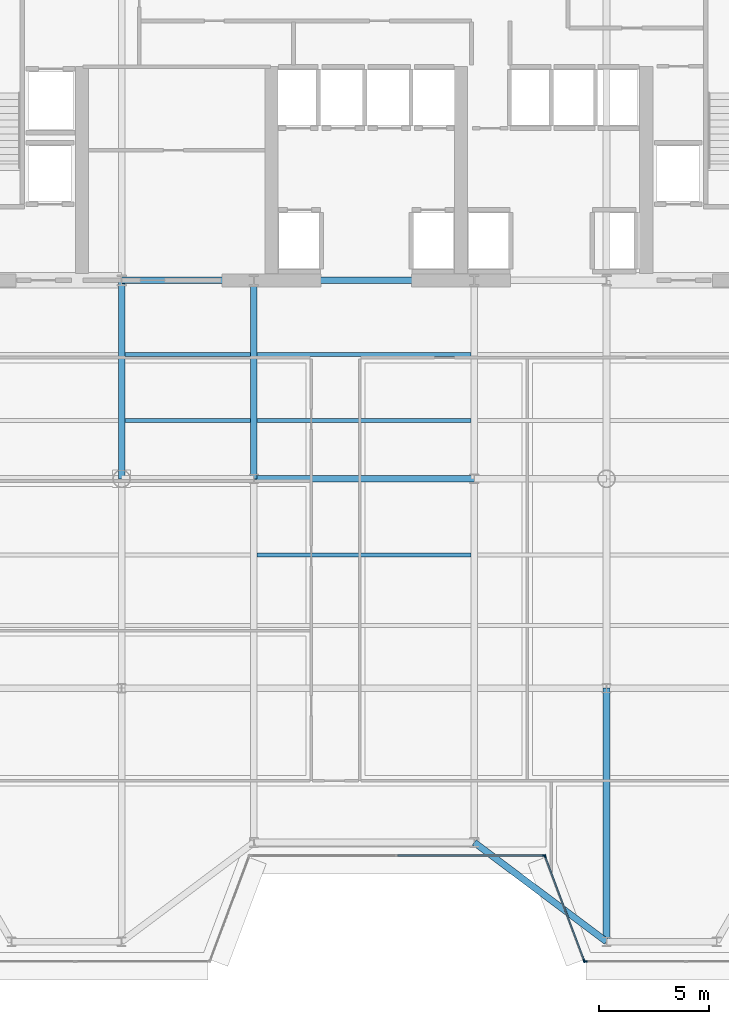
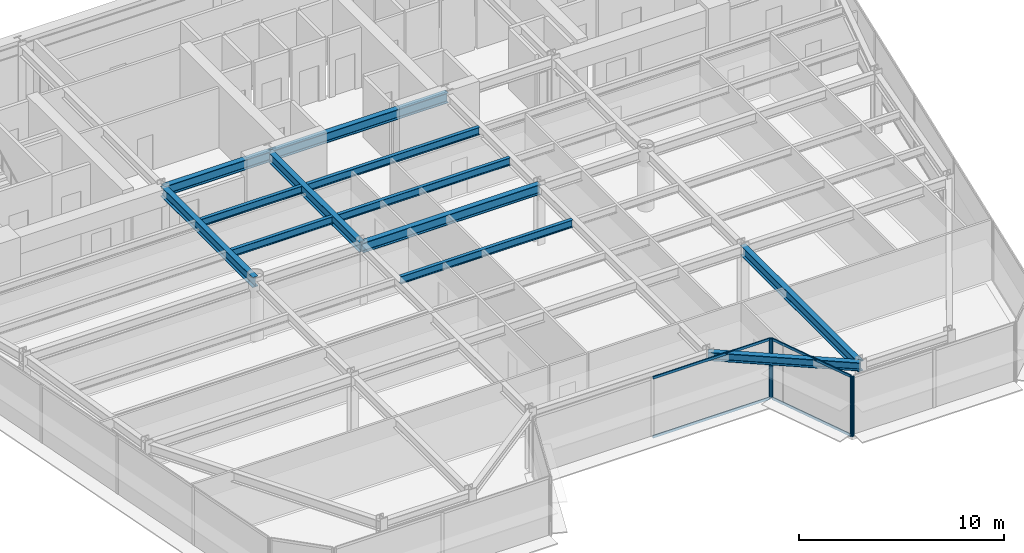
# One storey, part 5 of 16: 12 beams, 8 members, 3 elements without a shape of their own.
"""IFC4 building model written with IfcOpenShell, lengths in metres."""

from ifc_helpers import new_model, si_unit, direction, frame, origin, origin_2d, place, context, subcontext, project, spatial, rectangle, i_section, extrude, source, transform, mapped, material, layer, layer_set, material_profile, profile_set, type_object, element, aggregate, save


model = new_model("IFC4")

# Units and contexts
model_context = context("Model", 3, precision=1e-05, world=origin(), true_north=direction((0.0, 1.0)))
body_context = subcontext(model_context, "Body", "Model", "MODEL_VIEW")
ifc_project = project(units=[si_unit("LENGTHUNIT", "METRE"), si_unit("AREAUNIT", "SQUARE_METRE"), si_unit("VOLUMEUNIT", "CUBIC_METRE"), si_unit("PLANEANGLEUNIT", "RADIAN"), si_unit("MASSUNIT", "GRAM", prefix="KILO")], contexts=[model_context])

# Site, building, storey
site_placement = place(None, origin())
site = spatial("IfcSite", under=ifc_project, at=site_placement, CompositionType="ELEMENT")
building_placement = place(site_placement, origin())
building = spatial("IfcBuilding", under=site, at=building_placement, Name="Vaeldorn Concourse Tower", CompositionType="ELEMENT")
storey_placement = place(building_placement, frame((0.0, 0.0, 184.199951171875)))
storey = spatial("IfcBuildingStorey", under=building, at=storey_placement, Name="L47", CompositionType="ELEMENT", Elevation=184.199951171875)

# Beams
ifc_material_1 = material(Name="Steel S355", Category="steel")
ifc_material_profile_1 = material_profile(ifc_material_1, i_section(OverallWidth=0.300048828125, OverallDepth=0.5, WebThickness=0.014404296875, FlangeThickness=0.028076171875, FilletRadius=0.027099609375, at=origin_2d()), Name="HEB 500")
ifc_profile_set_1 = profile_set([ifc_material_profile_1], Name="Steel S355")
beam_type_1 = type_object("IfcBeamType", Name="BM-SP-HEB500", PredefinedType="SPANDREL", material=ifc_profile_set_1)
shared_shape_1 = source(origin(), body_context, "Body", "SweptSolid", [
    extrude(i_section(OverallWidth=0.300048828125, OverallDepth=0.5, WebThickness=0.014404296875, FlangeThickness=0.028076171875, FilletRadius=0.027099609375, at=origin_2d()), origin(), (0.0, 0.0, 1.0), 7.5),
])
beam_1_placement = place(storey_placement, frame((39.0, 11.0, 3.330078125), z_axis=(0.8, -0.6, 0.0), x_axis=(0.6, 0.8, 0.0)))
element("IfcBeam", 1, at=beam_1_placement, inside=storey, type_object=beam_type_1, Name="Beam BM-L47-C-SF4-C-SF5", PredefinedType="SPANDREL", context=body_context, shape_type="MappedRepresentation", body=[
    mapped(shared_shape_1, transform((0.0, 0.0, 0.0), scale=1.0)),
])
ifc_material_profile_2 = material_profile(ifc_material_1, i_section(OverallWidth=0.18994140625, OverallDepth=0.449951171875, WebThickness=0.009521484375, FlangeThickness=0.0146484375, FilletRadius=0.02099609375, at=origin_2d()), Name="IPE 450")
ifc_profile_set_2 = profile_set([ifc_material_profile_2], Name="Steel S355")
beam_type_2 = type_object("IfcBeamType", Name="BM-JS-IPE450", PredefinedType="JOIST", material=ifc_profile_set_2)
shared_shape_2 = source(origin(), body_context, "Body", "SweptSolid", [
    extrude(i_section(OverallWidth=0.18994140625, OverallDepth=0.449951171875, WebThickness=0.009521484375, FlangeThickness=0.0146484375, FilletRadius=0.02099609375, at=origin_2d()), origin(), (0.0, 0.0, 1.0), 5.7001953125),
])
for number, where, z_axis, x_axis, name in (
    (2, (23.14990234375, 30.139892578125, 3.35498046875), (1.0, 0.0, 0.0), (0.0, 1.0, 0.0), "Beam JS-L47-W2-301"),
    (3, (23.14990234375, 33.139892578125, 3.35498046875), (1.0, 0.0, 0.0), (0.0, 1.0, 0.0), "Beam JS-L47-W2-331"),
):
    element("IfcBeam", number, at=place(storey_placement, frame(where, z_axis=z_axis, x_axis=x_axis)), inside=storey, type_object=beam_type_2, Name=name, PredefinedType="JOIST", context=body_context, shape_type="MappedRepresentation", body=[
        mapped(shared_shape_2, transform((0.0, 0.0, 0.0), scale=1.0)),
    ])
shared_shape_3 = source(origin(), body_context, "Body", "SweptSolid", [
    extrude(i_section(OverallWidth=0.18994140625, OverallDepth=0.449951171875, WebThickness=0.009521484375, FlangeThickness=0.0146484375, FilletRadius=0.02099609375, at=origin_2d()), origin(), (0.0, 0.0, 1.0), 9.7001953125),
])
for number, where, z_axis, x_axis, name in (
    (4, (29.14990234375, 24.0400390625, 3.35498046875), (1.0, 0.0, 0.0), (0.0, 1.0, 0.0), "Beam JS-L47-C-240"),
    (5, (29.14990234375, 30.139892578125, 3.35498046875), (1.0, 0.0, 0.0), (0.0, 1.0, 0.0), "Beam JS-L47-C-301"),
    (6, (29.14990234375, 33.139892578125, 3.35498046875), (1.0, 0.0, 0.0), (0.0, 1.0, 0.0), "Beam JS-L47-C-331"),
):
    element("IfcBeam", number, at=place(storey_placement, frame(where, z_axis=z_axis, x_axis=x_axis)), inside=storey, type_object=beam_type_2, Name=name, PredefinedType="JOIST", context=body_context, shape_type="MappedRepresentation", body=[
        mapped(shared_shape_3, transform((0.0, 0.0, 0.0), scale=1.0)),
    ])
ifc_material_profile_3 = material_profile(ifc_material_1, i_section(OverallWidth=0.300048828125, OverallDepth=0.60009765625, WebThickness=0.015380859375, FlangeThickness=0.030029296875, FilletRadius=0.027099609375, at=origin_2d()), Name="HEB 600")
ifc_profile_set_3 = profile_set([ifc_material_profile_3], Name="Steel S355")
beam_type_3 = type_object("IfcBeamType", Name="BM-PG-HEB600", PredefinedType="BEAM", material=ifc_profile_set_3)
shared_shape_4 = source(origin(), body_context, "Body", "SweptSolid", [
    extrude(i_section(OverallWidth=0.300048828125, OverallDepth=0.60009765625, WebThickness=0.015380859375, FlangeThickness=0.030029296875, FilletRadius=0.027099609375, at=origin_2d()), origin(), (0.0, 0.0, 1.0), 6.0),
])
beam_2_placement = place(storey_placement, frame((23.0, 36.5, 3.280029296875), z_axis=(1.0, 0.0, 0.0), x_axis=(0.0, 1.0, 0.0)))
element("IfcBeam", 7, at=beam_2_placement, inside=storey, type_object=beam_type_3, Name="Beam BM-L47-C-FC2-C-FC3", PredefinedType="BEAM", context=body_context, shape_type="MappedRepresentation", body=[
    mapped(shared_shape_4, transform((0.0, 0.0, 0.0), scale=1.0)),
])
shared_shape_5 = source(origin(), body_context, "Body", "SweptSolid", [
    extrude(i_section(OverallWidth=0.300048828125, OverallDepth=0.60009765625, WebThickness=0.015380859375, FlangeThickness=0.030029296875, FilletRadius=0.027099609375, at=origin_2d()), origin(), (0.0, 0.0, 1.0), 10.0),
])
for number, where, z_axis, x_axis, name in (
    (8, (29.0, 36.5, 3.280029296875), (1.0, 0.0, 0.0), (0.0, 1.0, 0.0), "Beam BM-L47-C-FC3-C-FC4"),
    (9, (29.0, 27.5, 3.280029296875), (1.0, 0.0, 0.0), (0.0, 1.0, 0.0), "Beam BM-L47-C-TW2-C-TW3"),
):
    element("IfcBeam", number, at=place(storey_placement, frame(where, z_axis=z_axis, x_axis=x_axis)), inside=storey, type_object=beam_type_3, Name=name, PredefinedType="BEAM", context=body_context, shape_type="MappedRepresentation", body=[
        mapped(shared_shape_5, transform((0.0, 0.0, 0.0), scale=1.0)),
    ])
shared_shape_6 = source(origin(), body_context, "Body", "SweptSolid", [
    extrude(i_section(OverallWidth=0.300048828125, OverallDepth=0.60009765625, WebThickness=0.015380859375, FlangeThickness=0.030029296875, FilletRadius=0.027099609375, at=origin_2d()), origin(), (0.0, 0.0, 1.0), 9.0),
])
for number, where, z_axis, x_axis, name in (
    (10, (23.0, 27.5, 3.280029296875), (0.0, 1.0, 0.0), (-1.0, 0.0, 0.0), "Beam BM-L47-C-TW1-C-FC2"),
    (11, (29.0, 27.5, 3.280029296875), (0.0, 1.0, 0.0), (-1.0, 0.0, 0.0), "Beam BM-L47-C-TW2-C-FC3"),
):
    element("IfcBeam", number, at=place(storey_placement, frame(where, z_axis=z_axis, x_axis=x_axis)), inside=storey, type_object=beam_type_3, Name=name, PredefinedType="BEAM", context=body_context, shape_type="MappedRepresentation", body=[
        mapped(shared_shape_6, transform((0.0, 0.0, 0.0), scale=1.0)),
    ])
shared_shape_7 = source(origin(), body_context, "Body", "SweptSolid", [
    extrude(i_section(OverallWidth=0.300048828125, OverallDepth=0.60009765625, WebThickness=0.015380859375, FlangeThickness=0.030029296875, FilletRadius=0.027099609375, at=origin_2d()), origin(), (0.0, 0.0, 1.0), 11.5),
])
beam_3_placement = place(storey_placement, frame((45.0, 6.5, 3.280029296875), z_axis=(0.0, 1.0, 0.0), x_axis=(-1.0, 0.0, 0.0)))
element("IfcBeam", 12, at=beam_3_placement, inside=storey, type_object=beam_type_3, Name="Beam BM-L47-C-SF5-C-TW6", PredefinedType="BEAM", context=body_context, shape_type="MappedRepresentation", body=[
    mapped(shared_shape_7, transform((0.0, 0.0, 0.0), scale=1.0)),
])

# Curtain wall, members
ifc_material_2 = material(Name="Anodised Bronze Aluminium", Category="aluminium")
ifc_layer = layer(ifc_material_2, 0.18994140625)
ifc_layer_set = layer_set([ifc_layer], Name="Anodised Bronze Aluminium")
curtain_wall_type = type_object("IfcCurtainWallType", Name="CW-SYS-03", PredefinedType="NOTDEFINED", material=ifc_layer_set)
curtain_wall_1_placement = place(storey_placement, origin())
curtain_wall_1 = element("IfcCurtainWall", 13, at=curtain_wall_1_placement, inside=storey, type_object=curtain_wall_type, Name="Unitised Curtain Wall CW-L47-E04-1", PredefinedType="NOTDEFINED")
ifc_material_profile_4 = material_profile(ifc_material_2, rectangle(XDim=0.06494140625, YDim=0.14990234375, at=origin_2d()), Name="CWT 65x150")
ifc_profile_set_4 = profile_set([ifc_material_profile_4], Name="Anodised Bronze Aluminium")
member_type_1 = type_object("IfcMemberType", Name="CWT-BRONZE-150", PredefinedType="USERDEFINED", material=ifc_profile_set_4)
shared_shape_8 = source(origin(), body_context, "Body", "SweptSolid", [
    extrude(rectangle(XDim=0.06494140625, YDim=0.14990234375, at=origin_2d()), origin(), (0.0, 0.0, 1.0), 4.996337890625),
])
member_1_placement = place(storey_placement, frame((42.222900390625, 10.339111328125, 0.032470703125), z_axis=(0.351134151405, -0.936325161318, 0.0), x_axis=(0.936325161318, 0.351134151405, 0.0)))
member_1 = element("IfcMember", 14, at=member_1_placement, type_object=member_type_1, Name="CW-03 transom 1.1", ObjectType="TRANSOM", PredefinedType="USERDEFINED", context=body_context, shape_type="MappedRepresentation", body=[
    mapped(shared_shape_8, transform((0.0, 0.0, 0.0), scale=1.0)),
])
member_2_placement = place(storey_placement, frame((42.222900390625, 10.339111328125, 3.547607421875), z_axis=(0.351134151405, -0.936325161318, 0.0), x_axis=(0.936325161318, 0.351134151405, 0.0)))
member_2 = element("IfcMember", 15, at=member_2_placement, type_object=member_type_1, Name="CW-03 transom 1.2", ObjectType="TRANSOM", PredefinedType="USERDEFINED", context=body_context, shape_type="MappedRepresentation", body=[
    mapped(shared_shape_8, transform((0.0, 0.0, 0.0), scale=1.0)),
])

curtain_wall_2_placement = place(storey_placement, origin())
curtain_wall_2 = element("IfcCurtainWall", 16, at=curtain_wall_2_placement, inside=storey, type_object=curtain_wall_type, Name="Unitised Curtain Wall CW-L47-E03-1", PredefinedType="NOTDEFINED")
shared_shape_9 = source(origin(), body_context, "Body", "SweptSolid", [
    extrude(rectangle(XDim=0.06494140625, YDim=0.14990234375, at=origin_2d()), origin(), (0.0, 0.0, 1.0), 6.6025390625),
])
member_3_placement = place(storey_placement, frame((35.532470703125, 10.39990234375, 0.032470703125), z_axis=(1.0, 0.0, 0.0), x_axis=(0.0, 1.0, 0.0)))
member_3 = element("IfcMember", 17, at=member_3_placement, type_object=member_type_1, Name="CW-03 transom 2.1", ObjectType="TRANSOM", PredefinedType="USERDEFINED", context=body_context, shape_type="MappedRepresentation", body=[
    mapped(shared_shape_9, transform((0.0, 0.0, 0.0), scale=1.0)),
])
member_4_placement = place(storey_placement, frame((35.532470703125, 10.39990234375, 3.547607421875), z_axis=(1.0, 0.0, 0.0), x_axis=(0.0, 1.0, 0.0)))
member_4 = element("IfcMember", 18, at=member_4_placement, type_object=member_type_1, Name="CW-03 transom 2.2", ObjectType="TRANSOM", PredefinedType="USERDEFINED", context=body_context, shape_type="MappedRepresentation", body=[
    mapped(shared_shape_9, transform((0.0, 0.0, 0.0), scale=1.0)),
])
ifc_material_profile_5 = material_profile(ifc_material_2, rectangle(XDim=0.06494140625, YDim=0.169921875, at=origin_2d()), Name="CWM 65x170")
ifc_profile_set_5 = profile_set([ifc_material_profile_5], Name="Anodised Bronze Aluminium")
member_type_2 = type_object("IfcMemberType", Name="CWM-BRONZE-170", PredefinedType="MULLION", material=ifc_profile_set_5)
shared_shape_10 = source(origin(), body_context, "Body", "SweptSolid", [
    extrude(rectangle(XDim=0.06494140625, YDim=0.169921875, at=origin_2d()), origin(), (0.0, 0.0, 1.0), 3.580078125),
])
member_5_placement = place(storey_placement, frame((42.16748046875, 10.39990234375, 0.0), z_axis=(0.0, 0.0, 1.0), x_axis=(0.0, 1.0, 0.0)))
member_5 = element("IfcMember", 19, at=member_5_placement, type_object=member_type_2, Name="CW-03 mullion 3", PredefinedType="MULLION", context=body_context, shape_type="MappedRepresentation", body=[
    mapped(shared_shape_10, transform((0.0, 0.0, 0.0), scale=1.0)),
])
aggregate(curtain_wall_2, [member_5, member_3, member_4])

# Member
member_6_placement = place(storey_placement, frame((42.21142578125, 10.36962890625, 0.0), z_axis=(0.0, 0.0, 1.0), x_axis=(0.936329177566, 0.351123441595, 0.0)))
member_6 = element("IfcMember", 20, at=member_6_placement, type_object=member_type_2, Name="CW-03 mullion 1", PredefinedType="MULLION", context=body_context, shape_type="MappedRepresentation", body=[
    mapped(shared_shape_10, transform((0.0, 0.0, 0.0), scale=1.0)),
])

member_7_placement = place(storey_placement, frame((43.988525390625, 5.63037109375, 0.0), z_axis=(0.0, 0.0, 1.0), x_axis=(0.936329177566, 0.351123441595, 0.0)))
member_7 = element("IfcMember", 21, at=member_7_placement, type_object=member_type_2, Name="CW-03 mullion 2", PredefinedType="MULLION", context=body_context, shape_type="MappedRepresentation", body=[
    mapped(shared_shape_10, transform((0.0, 0.0, 0.0), scale=1.0)),
])

aggregate(curtain_wall_1, [member_6, member_7, member_1, member_2])

# Curtain wall, member
curtain_wall_3_placement = place(storey_placement, origin())
curtain_wall_3 = element("IfcCurtainWall", 22, at=curtain_wall_3_placement, inside=storey, type_object=curtain_wall_type, Name="Unitised Curtain Wall CW-L47-E05-1", PredefinedType="NOTDEFINED")
member_8_placement = place(storey_placement, frame((44.032470703125, 5.60009765625, 0.0), z_axis=(0.0, 0.0, 1.0), x_axis=(0.0, 1.0, 0.0)))
member_8 = element("IfcMember", 23, at=member_8_placement, type_object=member_type_2, Name="CW-03 mullion 1", PredefinedType="MULLION", context=body_context, shape_type="MappedRepresentation", body=[
    mapped(shared_shape_10, transform((0.0, 0.0, 0.0), scale=1.0)),
])
aggregate(curtain_wall_3, [member_8])

save(model, "model.ifc")
